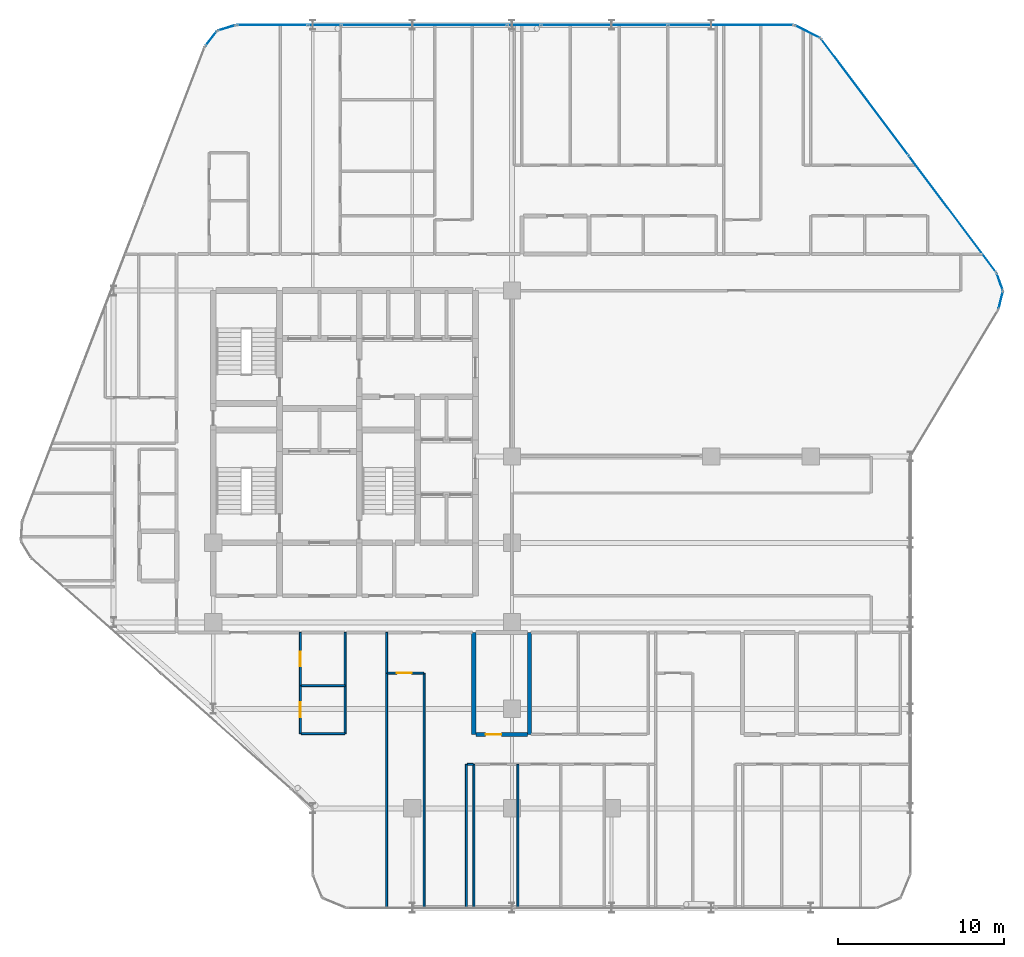
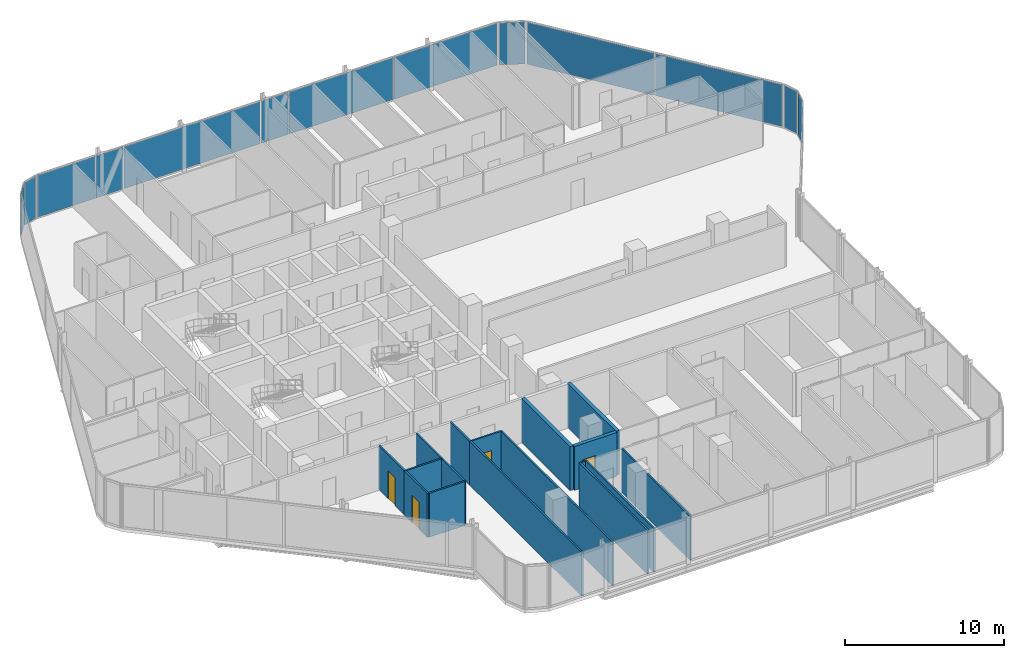
# One storey, part 22 of 29: 17 walls, 13 plates, 4 doors, 4 openings, 11 elements without a shape of their own.
"""IFC4 building model written with IfcOpenShell, lengths in metres."""

from ifc_helpers import new_model, si_unit, direction, frame, frame_2d, origin, origin_2d, place, context, subcontext, project, spatial, rectangle, extrude, material, layer, layer_set, type_object, element, fill, aggregate, save


model = new_model("IFC4")

# Units and contexts
model_context = context("Model", 3, precision=1e-05, world=origin(), true_north=direction((0.0, 1.0)))
body_context = subcontext(model_context, "Body", "Model", "MODEL_VIEW")
ifc_project = project(units=[si_unit("LENGTHUNIT", "METRE"), si_unit("AREAUNIT", "SQUARE_METRE"), si_unit("VOLUMEUNIT", "CUBIC_METRE"), si_unit("PLANEANGLEUNIT", "RADIAN"), si_unit("MASSUNIT", "GRAM", prefix="KILO")], contexts=[model_context])

# Site, building, storey
site_placement = place(None, origin())
site = spatial("IfcSite", under=ifc_project, at=site_placement, CompositionType="ELEMENT")
building_placement = place(site_placement, origin())
building = spatial("IfcBuilding", under=site, at=building_placement, Name="Keshet Zoharim Tower", CompositionType="ELEMENT")
storey_placement = place(building_placement, frame((0.0, 0.0, 98.300048828125)))
storey = spatial("IfcBuildingStorey", under=building, at=storey_placement, Name="L23", CompositionType="ELEMENT", Elevation=98.300048828125)

# Curtain wall, plate
ifc_material_1 = material(Name="Aluminium 6063-T6", Category="aluminium")
ifc_layer_1 = layer(ifc_material_1, 0.159912109375)
ifc_layer_set_1 = layer_set([ifc_layer_1], Name="Aluminium 6063-T6")
curtain_wall_type = type_object("IfcCurtainWallType", Name="CW-SYS-03", PredefinedType="NOTDEFINED", material=ifc_layer_set_1)
curtain_wall_1_placement = place(storey_placement, origin())
curtain_wall_1 = element("IfcCurtainWall", 1, at=curtain_wall_1_placement, inside=storey, type_object=curtain_wall_type, Name="L23 Unitised Curtain Wall 11", PredefinedType="NOTDEFINED")
ifc_material_2 = material(Name="Insulated Low-E Clear Glass", Category="glass")
ifc_layer_2 = layer(ifc_material_2, 0.035888671875)
ifc_layer_set_2 = layer_set([ifc_layer_2], Name="Insulated Low-E Clear Glass")
plate_type_1 = type_object("IfcPlateType", Name="CWP-01", PredefinedType="CURTAIN_PANEL", material=ifc_layer_set_2)
plate_1_placement = place(storey_placement, frame((14.8740234375, 53.08349609375, 0.06982421875), z_axis=(0.0, 0.0, 1.0), x_axis=(0.619124525989, 0.785292825205, 0.0)))
plate_1 = element("IfcPlate", 2, at=plate_1_placement, type_object=plate_type_1, Name="CW-03 panel 1.1", PredefinedType="CURTAIN_PANEL", context=body_context, shape_type="SweptSolid", body=[
    extrude(rectangle(XDim=1.045654296875, YDim=0.035888671875, at=origin_2d()), origin(), (0.0, 0.0, 1.0), 3.2451171875),
])
aggregate(curtain_wall_1, [plate_1])

curtain_wall_2_placement = place(storey_placement, origin())
curtain_wall_2 = element("IfcCurtainWall", 3, at=curtain_wall_2_placement, inside=storey, type_object=curtain_wall_type, Name="L23 Unitised Curtain Wall 12", PredefinedType="NOTDEFINED")
plate_2_placement = place(storey_placement, frame((15.8076171875, 53.724609375, 0.06982421875), z_axis=(0.0, 0.0, 1.0), x_axis=(0.955212151288, 0.295921857984, 0.0)))
plate_2 = element("IfcPlate", 4, at=plate_2_placement, type_object=plate_type_1, Name="CW-03 panel 1.1", PredefinedType="CURTAIN_PANEL", context=body_context, shape_type="SweptSolid", body=[
    extrude(rectangle(XDim=1.046142578125, YDim=0.035888671875, at=origin_2d()), origin(), (0.0, 0.0, 1.0), 3.2451171875),
])
aggregate(curtain_wall_2, [plate_2])

curtain_wall_3_placement = place(storey_placement, origin())
curtain_wall_3 = element("IfcCurtainWall", 5, at=curtain_wall_3_placement, inside=storey, type_object=curtain_wall_type, Name="L23 Unitised Curtain Wall 13", PredefinedType="NOTDEFINED")
ifc_layer_3 = layer(ifc_material_2, 0.031982421875)
ifc_layer_set_3 = layer_set([ifc_layer_3], Name="Insulated Low-E Clear Glass")
plate_type_2 = type_object("IfcPlateType", Name="CWP-02", PredefinedType="CURTAIN_PANEL", material=ifc_layer_set_3)
plate_3_placement = place(storey_placement, frame((18.5556640625, 53.89990234375, 0.06982421875), z_axis=(0.0, 0.0, 1.0), x_axis=(1.0, 0.0, 0.0)))
plate_3 = element("IfcPlate", 6, at=plate_3_placement, type_object=plate_type_2, Name="CW-03 panel 1.1", PredefinedType="CURTAIN_PANEL", context=body_context, shape_type="SweptSolid", body=[
    extrude(rectangle(XDim=4.223388671875, YDim=0.031982421875, at=origin_2d()), origin(), (0.0, 0.0, 1.0), 3.2451171875),
])
aggregate(curtain_wall_3, [plate_3])

curtain_wall_4_placement = place(storey_placement, origin())
curtain_wall_4 = element("IfcCurtainWall", 7, at=curtain_wall_4_placement, inside=storey, type_object=curtain_wall_type, Name="L23 Unitised Curtain Wall 13 Part 3", PredefinedType="NOTDEFINED")
plate_4_placement = place(storey_placement, frame((27.715087890625, 53.89990234375, 0.06982421875), z_axis=(0.0, 0.0, 1.0), x_axis=(1.0, 0.0, 0.0)))
plate_4 = element("IfcPlate", 8, at=plate_4_placement, type_object=plate_type_2, Name="CW-03 panel 1.1", PredefinedType="CURTAIN_PANEL", context=body_context, shape_type="SweptSolid", body=[
    extrude(rectangle(XDim=9.90478515625, YDim=0.031982421875, at=origin_2d()), origin(), (0.0, 0.0, 1.0), 3.2451171875),
])
aggregate(curtain_wall_4, [plate_4])

# Curtain wall, plates
curtain_wall_5_placement = place(storey_placement, origin())
curtain_wall_5 = element("IfcCurtainWall", 9, at=curtain_wall_5_placement, inside=storey, type_object=curtain_wall_type, Name="L23 Unitised Curtain Wall 13 Part 5", PredefinedType="NOTDEFINED")
plate_5_placement = place(storey_placement, frame((38.554443359375, 53.89990234375, 0.06982421875), z_axis=(0.0, 0.0, 1.0), x_axis=(1.0, 0.0, 0.0)))
plate_5 = element("IfcPlate", 10, at=plate_5_placement, type_object=plate_type_2, Name="CW-03 panel 1.1", PredefinedType="CURTAIN_PANEL", context=body_context, shape_type="SweptSolid", body=[
    extrude(rectangle(XDim=7.583740234375, YDim=0.031982421875, at=origin_2d()), origin(), (0.0, 0.0, 1.0), 3.2451171875),
])
plate_6_placement = place(storey_placement, frame((46.173095703125, 53.89990234375, 0.06982421875), z_axis=(0.0, 0.0, 1.0), x_axis=(1.0, 0.0, 0.0)))
plate_6 = element("IfcPlate", 11, at=plate_6_placement, type_object=plate_type_2, Name="CW-03 panel 2.1", PredefinedType="CURTAIN_PANEL", context=body_context, shape_type="SweptSolid", body=[
    extrude(rectangle(XDim=7.513671875, YDim=0.031982421875, at=origin_2d()), origin(), (0.0, 0.0, 1.0), 3.2451171875),
])
aggregate(curtain_wall_5, [plate_5, plate_6])

# Curtain wall, plate
curtain_wall_6_placement = place(storey_placement, origin())
curtain_wall_6 = element("IfcCurtainWall", 12, at=curtain_wall_6_placement, inside=storey, type_object=curtain_wall_type, Name="L23 Unitised Curtain Wall 14", PredefinedType="NOTDEFINED")
plate_7_placement = place(storey_placement, frame((50.800048828125, 53.5, 0.06982421875), z_axis=(0.0, 0.0, 1.0), x_axis=(0.894427191001, -0.447213595499, 0.0)))
plate_7 = element("IfcPlate", 13, at=plate_7_placement, type_object=plate_type_2, Name="CW-03 panel 1.1", PredefinedType="CURTAIN_PANEL", context=body_context, shape_type="SweptSolid", body=[
    extrude(rectangle(XDim=1.64892578125, YDim=0.031982421875, at=origin_2d()), origin(), (0.0, 0.0, 1.0), 3.2451171875),
])
aggregate(curtain_wall_6, [plate_7])

# Curtain wall, plates
curtain_wall_7_placement = place(storey_placement, origin())
curtain_wall_7 = element("IfcCurtainWall", 14, at=curtain_wall_7_placement, inside=storey, type_object=curtain_wall_type, Name="L23 Unitised Curtain Wall 15", PredefinedType="NOTDEFINED")
plate_8_placement = place(storey_placement, frame((54.2587890625, 49.554931640625, 0.06982421875), z_axis=(0.0, 0.0, 1.0), x_axis=(0.600000000002, -0.799999999998, 0.0)))
plate_8 = element("IfcPlate", 15, at=plate_8_placement, type_object=plate_type_2, Name="CW-03 panel 1.1", PredefinedType="CURTAIN_PANEL", context=body_context, shape_type="SweptSolid", body=[
    extrude(rectangle(XDim=8.722412109375, YDim=0.031982421875, at=origin_2d()), origin(), (0.0, 0.0, 1.0), 3.2451171875),
])
plate_9_placement = place(storey_placement, frame((59.5341796875, 42.52099609375, 0.06982421875), z_axis=(0.0, 0.0, 1.0), x_axis=(0.600000000002, -0.799999999998, 0.0)))
plate_9 = element("IfcPlate", 16, at=plate_9_placement, type_object=plate_type_2, Name="CW-03 panel 2.1", PredefinedType="CURTAIN_PANEL", context=body_context, shape_type="SweptSolid", body=[
    extrude(rectangle(XDim=8.722412109375, YDim=0.031982421875, at=origin_2d()), origin(), (0.0, 0.0, 1.0), 3.2451171875),
])
aggregate(curtain_wall_7, [plate_8, plate_9])

# Curtain wall, plate
curtain_wall_8_placement = place(storey_placement, origin())
curtain_wall_8 = element("IfcCurtainWall", 17, at=curtain_wall_8_placement, inside=storey, type_object=curtain_wall_type, Name="L23 Unitised Curtain Wall 16", PredefinedType="NOTDEFINED")
plate_10_placement = place(storey_placement, frame((62.3916015625, 38.427490234375, 0.06982421875), z_axis=(0.0, 0.0, 1.0), x_axis=(0.340297354046, -0.940317877544, 0.0)))
plate_10 = element("IfcPlate", 18, at=plate_10_placement, type_object=plate_type_2, Name="CW-03 panel 1.1", PredefinedType="CURTAIN_PANEL", context=body_context, shape_type="SweptSolid", body=[
    extrude(rectangle(XDim=1.026611328125, YDim=0.031982421875, at=origin_2d()), origin(), (0.0, 0.0, 1.0), 3.2451171875),
])
aggregate(curtain_wall_8, [plate_10])

curtain_wall_9_placement = place(storey_placement, origin())
curtain_wall_9 = element("IfcCurtainWall", 19, at=curtain_wall_9_placement, inside=storey, type_object=curtain_wall_type, Name="L23 Unitised Curtain Wall 17", PredefinedType="NOTDEFINED")
plate_11_placement = place(storey_placement, frame((62.448974609375, 37.31298828125, 0.06982421875), z_axis=(0.0, 0.0, 1.0), x_axis=(-0.241728770141, -0.970343857447, 0.0)))
plate_11 = element("IfcPlate", 20, at=plate_11_placement, type_object=plate_type_2, Name="CW-03 panel 1.1", PredefinedType="CURTAIN_PANEL", context=body_context, shape_type="SweptSolid", body=[
    extrude(rectangle(XDim=1.026611328125, YDim=0.031982421875, at=origin_2d()), origin(), (0.0, 0.0, 1.0), 3.2451171875),
])
aggregate(curtain_wall_9, [plate_11])

curtain_wall_10_placement = place(storey_placement, origin())
curtain_wall_10 = element("IfcCurtainWall", 21, at=curtain_wall_10_placement, inside=storey, type_object=curtain_wall_type, Name="L23 Unitised Curtain Wall 13 Part 2", PredefinedType="NOTDEFINED")
ifc_material_3 = material(Name="Insulated Aluminium Spandrel Panel", Category="aluminium")
ifc_layer_4 = layer(ifc_material_3, 0.031982421875)
ifc_layer_set_4 = layer_set([ifc_layer_4], Name="Insulated Aluminium Spandrel Panel")
plate_type_3 = type_object("IfcPlateType", Name="CWP-05", PredefinedType="CURTAIN_PANEL", material=ifc_layer_set_4)
plate_12_placement = place(storey_placement, frame((21.715087890625, 53.89990234375, 0.06982421875), z_axis=(0.0, 0.0, 1.0), x_axis=(1.0, 0.0, 0.0)))
plate_12 = element("IfcPlate", 22, at=plate_12_placement, type_object=plate_type_3, Name="CW-03 spandrel panel 1.1", PredefinedType="CURTAIN_PANEL", context=body_context, shape_type="SweptSolid", body=[
    extrude(rectangle(XDim=1.955078125, YDim=0.031982421875, at=origin_2d()), origin(), (0.0, 0.0, 1.0), 3.2451171875),
])
aggregate(curtain_wall_10, [plate_12])

curtain_wall_11_placement = place(storey_placement, origin())
curtain_wall_11 = element("IfcCurtainWall", 23, at=curtain_wall_11_placement, inside=storey, type_object=curtain_wall_type, Name="L23 Unitised Curtain Wall 13 Part 4", PredefinedType="NOTDEFINED")
plate_13_placement = place(storey_placement, frame((33.715087890625, 53.89990234375, 0.06982421875), z_axis=(0.0, 0.0, 1.0), x_axis=(1.0, 0.0, 0.0)))
plate_13 = element("IfcPlate", 24, at=plate_13_placement, type_object=plate_type_3, Name="CW-03 spandrel panel 1.1", PredefinedType="CURTAIN_PANEL", context=body_context, shape_type="SweptSolid", body=[
    extrude(rectangle(XDim=1.955078125, YDim=0.031982421875, at=origin_2d()), origin(), (0.0, 0.0, 1.0), 3.2451171875),
])
aggregate(curtain_wall_11, [plate_13])

# Walls
ifc_material_4 = material(Name="Concrete C50/60", Category="concrete")
ifc_layer_5 = layer(ifc_material_4, 0.25)
ifc_layer_set_5 = layer_set([ifc_layer_5], Name="Concrete C50/60")
wall_type_1 = type_object("IfcWallType", Name="WL-MAMAD-250", PredefinedType="STANDARD", material=ifc_layer_set_5)
for number, where, z_axis, x_axis, name in (
    (25, (30.699951171875, 11.14990234375, 0.0), (0.0, 0.0, 1.0), (0.0, 1.0, 0.0), "L23 Interior Wall 062"),
    (26, (34.050048828125, 11.14990234375, 0.0), (0.0, 0.0, 1.0), (0.0, 1.0, 0.0), "L23 Interior Wall 075"),
):
    element("IfcWall", number, at=place(storey_placement, frame(where, z_axis=z_axis, x_axis=x_axis)), inside=storey, type_object=wall_type_1, Name=name, PredefinedType="STANDARD", context=body_context, shape_type="SweptSolid", body=[
        extrude(rectangle(XDim=6.150146484375, YDim=0.25, at=frame_2d((3.0751953125, 0.0))), origin(), (0.0, 0.0, 1.0), 3.385009765625),
    ])

# Wall, opening, door
wall_1_placement = place(storey_placement, frame((30.830078125, 11.14990234375, 0.0), z_axis=(0.0, 0.0, 1.0), x_axis=(1.0, 0.0, 0.0)))
wall_1 = element("IfcWall", 27, at=wall_1_placement, inside=storey, type_object=wall_type_1, Name="L23 Interior Wall 118", PredefinedType="STANDARD", context=body_context, shape_type="SweptSolid", body=[
    extrude(rectangle(XDim=3.10595703125, YDim=0.25, at=frame_2d((1.552978515625, 0.0))), origin(), (0.0, 0.0, 1.0), 3.385009765625),
])
opening_1_placement = place(wall_1_placement, frame((0.574951171875, 0.0, 0.0)))
opening_1 = element("IfcOpeningElement", 28, at=opening_1_placement, cuts=wall_1, Name="Opening D-F695", PredefinedType="OPENING", context=body_context, shape_type="SweptSolid", body=[
    extrude(rectangle(XDim=0.949951171875, YDim=2.14990234375, at=frame_2d((0.47509765625, 1.074951171875))), frame((0.0, 0.135009765625, 0.0), z_axis=(0.0, -1.0, 0.0), x_axis=(1.0, 0.0, 0.0)), (0.0, 0.0, 1.0), 0.27001953125),
])
ifc_material_5 = material(Name="Hardwood Timber", Category="wood")
door_type_1 = type_object("IfcDoorType", Name="DR-FD60-095", OperationType="NOTDEFINED", PredefinedType="DOOR", material=ifc_material_5)
door_1_placement = place(opening_1_placement, origin())
door_1 = element("IfcDoor", 29, at=door_1_placement, inside=storey, type_object=door_type_1, Name="Apartment 2302 Study and Shelter Room Door", OperationType="SINGLE_SWING_RIGHT", OverallHeight=2.14990234375, OverallWidth=0.949951171875, PredefinedType="DOOR", context=body_context, shape_type="SweptSolid", body=[
    extrude(rectangle(XDim=0.949951171875, YDim=2.14990234375, at=frame_2d((0.47509765625, 1.074951171875))), frame((0.0, 0.02490234375, 0.0), z_axis=(0.0, -1.0, 0.0), x_axis=(1.0, 0.0, 0.0)), (0.0, 0.0, 1.0), 0.050048828125),
])
fill(opening_1, door_1)

ifc_material_6 = material(Name="Gypsum Plasterboard", Category="gypsum")
ifc_layer_6 = layer(ifc_material_6, 0.1201171875)
ifc_layer_set_6 = layer_set([ifc_layer_6], Name="Gypsum Plasterboard")
wall_type_2 = type_object("IfcWallType", Name="WL-PART-120", PredefinedType="PARTITIONING", material=ifc_layer_set_6)
wall_2_placement = place(storey_placement, frame((20.25, 14.10009765625, 0.0), z_axis=(0.0, 0.0, 1.0), x_axis=(0.0, 1.0, 0.0)))
wall_2 = element("IfcWall", 30, at=wall_2_placement, inside=storey, type_object=wall_type_2, Name="L23 Interior Wall 028", PredefinedType="PARTITIONING", context=body_context, shape_type="SweptSolid", body=[
    extrude(rectangle(XDim=3.199951171875, YDim=0.1201171875, at=frame_2d((1.60009765625, 0.0))), origin(), (0.0, 0.0, 1.0), 3.385009765625),
])
opening_2_placement = place(wall_2_placement, frame((1.14990234375, 0.0, 0.0)))
opening_2 = element("IfcOpeningElement", 31, at=opening_2_placement, cuts=wall_2, Name="Opening D-IN90", PredefinedType="OPENING", context=body_context, shape_type="SweptSolid", body=[
    extrude(rectangle(XDim=0.89990234375, YDim=2.14990234375, at=frame_2d((0.449951171875, 1.074951171875))), frame((0.0, 0.070068359375, 0.0), z_axis=(0.0, -1.0, 0.0), x_axis=(1.0, 0.0, 0.0)), (0.0, 0.0, 1.0), 0.14013671875),
])
door_type_2 = type_object("IfcDoorType", Name="DR-INT-090", OperationType="NOTDEFINED", PredefinedType="DOOR", material=ifc_material_5)
door_2_placement = place(opening_2_placement, origin())
door_2 = element("IfcDoor", 32, at=door_2_placement, inside=storey, type_object=door_type_2, Name="Apartment 2301 Kitchenette Door", OperationType="SINGLE_SWING_LEFT", OverallHeight=2.14990234375, OverallWidth=0.89990234375, PredefinedType="DOOR", context=body_context, shape_type="SweptSolid", body=[
    extrude(rectangle(XDim=0.89990234375, YDim=2.14990234375, at=frame_2d((0.449951171875, 1.074951171875))), frame((0.0, 0.02490234375, 0.0), z_axis=(0.0, -1.0, 0.0), x_axis=(1.0, 0.0, 0.0)), (0.0, 0.0, 1.0), 0.050048828125),
])
fill(opening_2, door_2)

# Walls
wall_3_placement = place(storey_placement, frame((22.949951171875, 14.10009765625, 0.0), z_axis=(0.0, 0.0, 1.0), x_axis=(0.0, 1.0, 0.0)))
element("IfcWall", 33, at=wall_3_placement, inside=storey, type_object=wall_type_2, Name="L23 Interior Wall 035", PredefinedType="PARTITIONING", context=body_context, shape_type="SweptSolid", body=[
    extrude(rectangle(XDim=3.199951171875, YDim=0.1201171875, at=frame_2d((1.60009765625, 0.0))), origin(), (0.0, 0.0, 1.0), 3.385009765625),
])
wall_4_placement = place(storey_placement, frame((25.449951171875, 0.7099609375, 0.0), z_axis=(0.0, 0.0, 1.0), x_axis=(0.0, 1.0, 0.0)))
element("IfcWall", 34, at=wall_4_placement, inside=storey, type_object=wall_type_2, Name="L23 Interior Wall 043", PredefinedType="PARTITIONING", context=body_context, shape_type="SweptSolid", body=[
    extrude(rectangle(XDim=14.14013671875, YDim=0.1201171875, at=frame_2d((7.070068359375, 0.0))), origin(), (0.0, 0.0, 1.0), 3.385009765625),
])
wall_5_placement = place(storey_placement, frame((25.449951171875, 14.85009765625, 0.0), z_axis=(0.0, 0.0, 1.0), x_axis=(0.0, 1.0, 0.0)))
element("IfcWall", 35, at=wall_5_placement, inside=storey, type_object=wall_type_2, Name="L23 Interior Wall 044", PredefinedType="PARTITIONING", context=body_context, shape_type="SweptSolid", body=[
    extrude(rectangle(XDim=2.449951171875, YDim=0.1201171875, at=frame_2d((1.22509765625, 0.0))), origin(), (0.0, 0.0, 1.0), 3.385009765625),
])
wall_6_placement = place(storey_placement, frame((27.699951171875, 0.7099609375, 0.0), z_axis=(0.0, 0.0, 1.0), x_axis=(0.0, 1.0, 0.0)))
element("IfcWall", 36, at=wall_6_placement, inside=storey, type_object=wall_type_2, Name="L23 Interior Wall 052", PredefinedType="PARTITIONING", context=body_context, shape_type="SweptSolid", body=[
    extrude(rectangle(XDim=14.14013671875, YDim=0.1201171875, at=frame_2d((7.070068359375, 0.0))), origin(), (0.0, 0.0, 1.0), 3.385009765625),
])
for number, where, z_axis, x_axis, name in (
    (37, (30.25, 0.7099609375, 0.0), (0.0, 0.0, 1.0), (0.0, 1.0, 0.0), "L23 Interior Wall 059"),
    (38, (30.699951171875, 0.7099609375, 0.0), (0.0, 0.0, 1.0), (0.0, 1.0, 0.0), "L23 Interior Wall 061"),
    (39, (33.35009765625, 0.7099609375, 0.0), (0.0, 0.0, 1.0), (0.0, 1.0, 0.0), "L23 Interior Wall 072"),
):
    element("IfcWall", number, at=place(storey_placement, frame(where, z_axis=z_axis, x_axis=x_axis)), inside=storey, type_object=wall_type_2, Name=name, PredefinedType="PARTITIONING", context=body_context, shape_type="SweptSolid", body=[
        extrude(rectangle(XDim=8.64013671875, YDim=0.1201171875, at=frame_2d((4.320068359375, 0.0))), origin(), (0.0, 0.0, 1.0), 3.385009765625),
    ])
wall_7_placement = place(storey_placement, frame((30.31494140625, 9.35009765625, 0.0), z_axis=(0.0, 0.0, 1.0), x_axis=(1.0, 0.0, 0.0)))
element("IfcWall", 40, at=wall_7_placement, inside=storey, type_object=wall_type_2, Name="L23 Interior Wall 113", PredefinedType="PARTITIONING", context=body_context, shape_type="SweptSolid", body=[
    extrude(rectangle(XDim=0.360107421875, YDim=0.1201171875, at=frame_2d((0.18017578125, 0.0))), origin(), (0.0, 0.0, 1.0), 3.385009765625),
])

# Wall, opening, door
wall_8_placement = place(storey_placement, frame((25.514892578125, 14.85009765625, 0.0), z_axis=(0.0, 0.0, 1.0), x_axis=(1.0, 0.0, 0.0)))
wall_8 = element("IfcWall", 41, at=wall_8_placement, inside=storey, type_object=wall_type_2, Name="L23 Interior Wall 126", PredefinedType="PARTITIONING", context=body_context, shape_type="SweptSolid", body=[
    extrude(rectangle(XDim=2.16015625, YDim=0.1201171875, at=frame_2d((1.080078125, 0.0))), origin(), (0.0, 0.0, 1.0), 3.385009765625),
])
opening_3_placement = place(wall_8_placement, frame((0.552978515625, 0.0, 0.0)))
opening_3 = element("IfcOpeningElement", 42, at=opening_3_placement, cuts=wall_8, Name="Opening D-IN90", PredefinedType="OPENING", context=body_context, shape_type="SweptSolid", body=[
    extrude(rectangle(XDim=0.89990234375, YDim=2.14990234375, at=frame_2d((0.449951171875, 1.074951171875))), frame((0.0, 0.070068359375, 0.0), z_axis=(0.0, -1.0, 0.0), x_axis=(1.0, 0.0, 0.0)), (0.0, 0.0, 1.0), 0.14013671875),
])
door_3_placement = place(opening_3_placement, origin())
door_3 = element("IfcDoor", 43, at=door_3_placement, inside=storey, type_object=door_type_2, Name="Apartment 2302 Formal Dining Room Door", OperationType="SINGLE_SWING_RIGHT", OverallHeight=2.14990234375, OverallWidth=0.89990234375, PredefinedType="DOOR", context=body_context, shape_type="SweptSolid", body=[
    extrude(rectangle(XDim=0.89990234375, YDim=2.14990234375, at=frame_2d((0.449951171875, 1.074951171875))), frame((0.0, 0.02490234375, 0.0), z_axis=(0.0, -1.0, 0.0), x_axis=(1.0, 0.0, 0.0)), (0.0, 0.0, 1.0), 0.050048828125),
])
fill(opening_3, door_3)

ifc_layer_7 = layer(ifc_material_6, 0.1201171875)
ifc_layer_set_7 = layer_set([ifc_layer_7], Name="Gypsum Plasterboard")
wall_type_3 = type_object("IfcWallType", Name="WL-WET-120", PredefinedType="PARTITIONING", material=ifc_layer_set_7)
wall_9_placement = place(storey_placement, frame((20.25, 11.199951171875, 0.0), z_axis=(0.0, 0.0, 1.0), x_axis=(0.0, 1.0, 0.0)))
wall_9 = element("IfcWall", 44, at=wall_9_placement, inside=storey, type_object=wall_type_3, Name="L23 Interior Wall 027", PredefinedType="PARTITIONING", context=body_context, shape_type="SweptSolid", body=[
    extrude(rectangle(XDim=2.900146484375, YDim=0.1201171875, at=frame_2d((1.4501953125, 0.0))), origin(), (0.0, 0.0, 1.0), 3.385009765625),
])
opening_4_placement = place(wall_9_placement, frame((1.0, 0.0, 0.0)))
opening_4 = element("IfcOpeningElement", 45, at=opening_4_placement, cuts=wall_9, Name="Opening D-WT90", PredefinedType="OPENING", context=body_context, shape_type="SweptSolid", body=[
    extrude(rectangle(XDim=0.89990234375, YDim=2.10009765625, at=frame_2d((0.449951171875, 1.050048828125))), frame((0.0, 0.070068359375, 0.0), z_axis=(0.0, -1.0, 0.0), x_axis=(1.0, 0.0, 0.0)), (0.0, 0.0, 1.0), 0.14013671875),
])
door_type_3 = type_object("IfcDoorType", Name="DR-WET-090", OperationType="NOTDEFINED", PredefinedType="DOOR", material=ifc_material_5)
door_4_placement = place(opening_4_placement, origin())
door_4 = element("IfcDoor", 46, at=door_4_placement, inside=storey, type_object=door_type_3, Name="Apartment 2301 Bathroom Door", OperationType="SINGLE_SWING_RIGHT", OverallHeight=2.10009765625, OverallWidth=0.89990234375, PredefinedType="DOOR", context=body_context, shape_type="SweptSolid", body=[
    extrude(rectangle(XDim=0.89990234375, YDim=2.10009765625, at=frame_2d((0.449951171875, 1.050048828125))), frame((0.0, 0.02490234375, 0.0), z_axis=(0.0, -1.0, 0.0), x_axis=(1.0, 0.0, 0.0)), (0.0, 0.0, 1.0), 0.050048828125),
])
fill(opening_4, door_4)

# Walls
wall_10_placement = place(storey_placement, frame((22.949951171875, 11.199951171875, 0.0), z_axis=(0.0, 0.0, 1.0), x_axis=(0.0, 1.0, 0.0)))
element("IfcWall", 47, at=wall_10_placement, inside=storey, type_object=wall_type_3, Name="L23 Interior Wall 034", PredefinedType="PARTITIONING", context=body_context, shape_type="SweptSolid", body=[
    extrude(rectangle(XDim=2.900146484375, YDim=0.1201171875, at=frame_2d((1.4501953125, 0.0))), origin(), (0.0, 0.0, 1.0), 3.385009765625),
])
for number, where, z_axis, x_axis, name in (
    (48, (20.31494140625, 11.199951171875, 0.0), (0.0, 0.0, 1.0), (1.0, 0.0, 0.0), "L23 Interior Wall 124"),
    (49, (20.31494140625, 14.10009765625, 0.0), (0.0, 0.0, 1.0), (1.0, 0.0, 0.0), "L23 Interior Wall 125"),
):
    element("IfcWall", number, at=place(storey_placement, frame(where, z_axis=z_axis, x_axis=x_axis)), inside=storey, type_object=wall_type_3, Name=name, PredefinedType="PARTITIONING", context=body_context, shape_type="SweptSolid", body=[
        extrude(rectangle(XDim=2.610107421875, YDim=0.1201171875, at=frame_2d((1.30517578125, 0.0))), origin(), (0.0, 0.0, 1.0), 3.385009765625),
    ])

save(model, "model.ifc")
